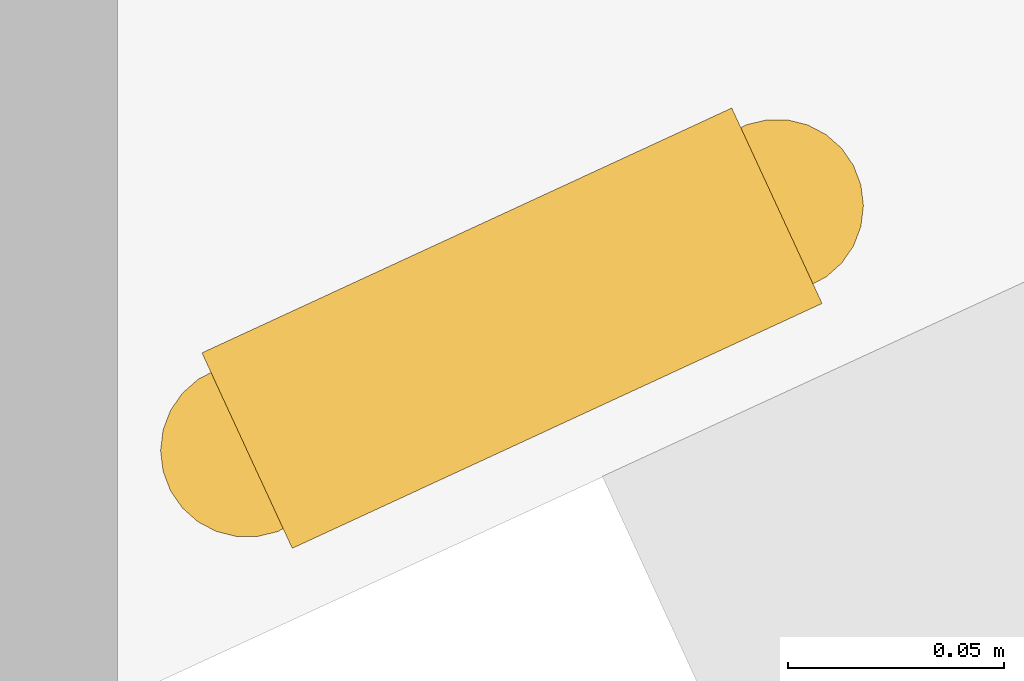
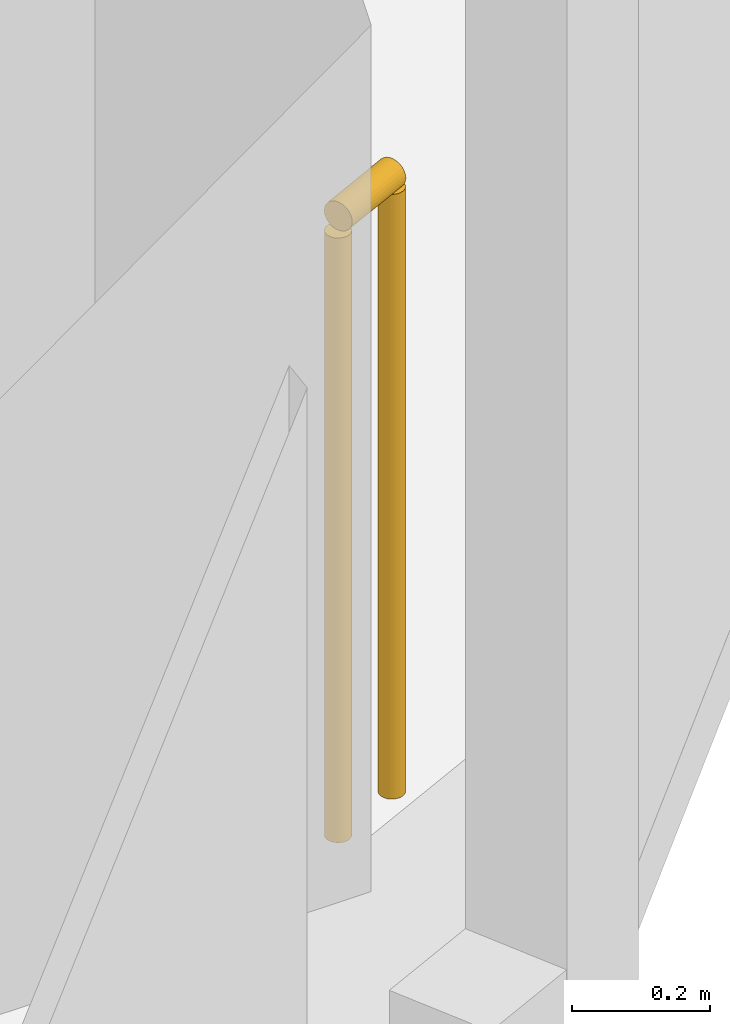
# One storey, part 24 of 25: 1 railing.
"""IFC4 building model written with IfcOpenShell, lengths in metres."""

from ifc_helpers import new_model, si_unit, direction, frame, origin, origin_2d, place, context, subcontext, project, spatial, circle, extrude, material, type_object, element, save


model = new_model("IFC4")

# Units and contexts
model_context = context("Model", 3, precision=1e-05, world=origin(), true_north=direction((0.0, 1.0)))
body_context = subcontext(model_context, "Body", "Model", "MODEL_VIEW")
ifc_project = project(units=[si_unit("LENGTHUNIT", "METRE"), si_unit("AREAUNIT", "SQUARE_METRE"), si_unit("VOLUMEUNIT", "CUBIC_METRE"), si_unit("PLANEANGLEUNIT", "RADIAN"), si_unit("MASSUNIT", "GRAM", prefix="KILO")], contexts=[model_context])

# Site, building, storey
site_placement = place(None, origin())
site = spatial("IfcSite", under=ifc_project, at=site_placement, CompositionType="ELEMENT")
building_placement = place(site_placement, origin())
building = spatial("IfcBuilding", under=site, at=building_placement, Name="Orlundy Tower", CompositionType="ELEMENT")
storey_placement = place(building_placement, frame((0.0, 0.0, 217.5)))
storey = spatial("IfcBuildingStorey", under=building, at=storey_placement, Name="L57", CompositionType="ELEMENT", Elevation=217.5)

# Railing
ifc_material = material(Name="Stainless steel bronze finish", Category="steel")
railing_type = type_object("IfcRailingType", Name="TG1 terrace guard", PredefinedType="GUARDRAIL", material=ifc_material)
railing_placement = place(storey_placement, frame((37.007568359375, -10.939453125, 0.0)))
element("IfcRailing", 1, at=railing_placement, inside=storey, type_object=railing_type, Name="Guard TG-L57-E00", PredefinedType="GUARDRAIL", context=body_context, shape_type="SweptSolid", body=[
    extrude(circle(Radius=0.02490234375, at=origin_2d()), frame((0.0, 0.0, 1.09521484375), z_axis=(-0.907747569666, -0.419516805105, 0.0), x_axis=(0.419516805105, -0.907747569666, 0.0)), (0.0, 0.0, 1.0), 0.135009765625),
    extrude(circle(Radius=0.02001953125, at=origin_2d()), origin(), (0.0, 0.0, 1.0), 1.070068359375),
    extrude(circle(Radius=0.02001953125, at=origin_2d()), frame((-0.12255859375, -0.056640625, 0.0)), (0.0, 0.0, 1.0), 1.070068359375),
])

save(model, "model.ifc")
